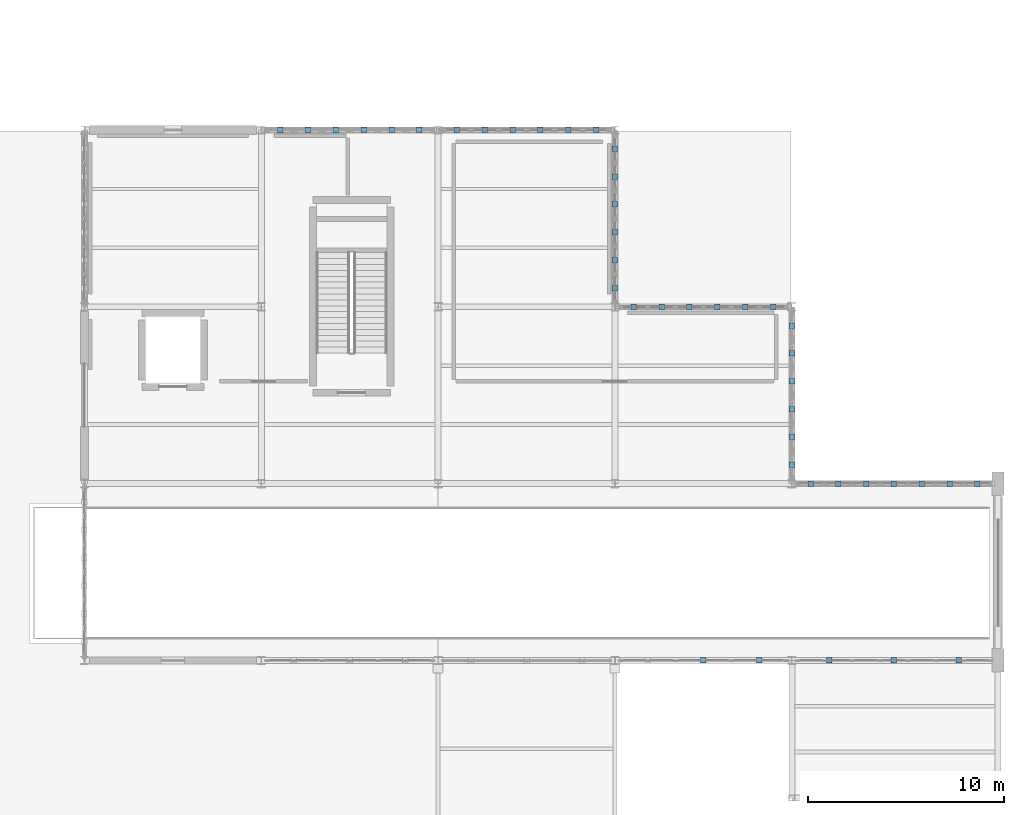
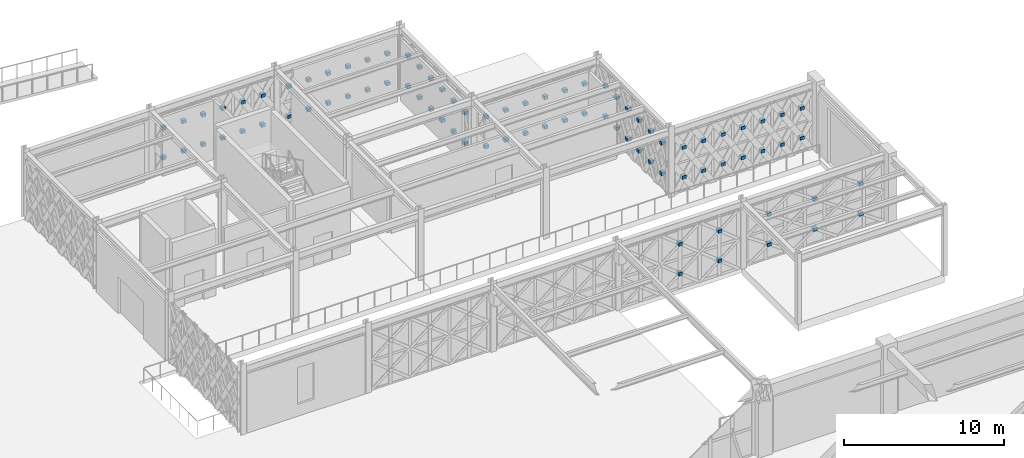
# One storey, part 126 of 140: 84 discrete accessories.
"""IFC4 building model written with IfcOpenShell, lengths in metres."""

from ifc_helpers import new_model, si_unit, direction, frame, origin, origin_2d, place, context, subcontext, project, spatial, rectangle, extrude, material, type_object, element, save


model = new_model("IFC4")

# Units and contexts
model_context = context("Model", 3, precision=1e-05, world=origin(), true_north=direction((0.0, 1.0)))
body_context = subcontext(model_context, "Body", "Model", "MODEL_VIEW")
ifc_project = project(units=[si_unit("LENGTHUNIT", "METRE"), si_unit("AREAUNIT", "SQUARE_METRE"), si_unit("VOLUMEUNIT", "CUBIC_METRE"), si_unit("PLANEANGLEUNIT", "RADIAN"), si_unit("MASSUNIT", "GRAM", prefix="KILO")], contexts=[model_context])

# Site, building, storey
site_placement = place(None, origin())
site = spatial("IfcSite", under=ifc_project, at=site_placement, CompositionType="ELEMENT")
building_placement = place(site_placement, origin())
building = spatial("IfcBuilding", under=site, at=building_placement, Name="Haizhuo Lancet Aquarium", CompositionType="ELEMENT")
storey_placement = place(building_placement, origin())
storey = spatial("IfcBuildingStorey", under=building, at=storey_placement, Name="L00", CompositionType="ELEMENT", Elevation=0.0)

# Discrete accessories
ifc_material = material(Name="Steel S355", Category="steel")
discrete_accessory_type = type_object("IfcDiscreteAccessoryType", Name="ACC-END-CAP", PredefinedType="BRACKET", material=ifc_material)
for number, where, z_axis, x_axis, name in (
    (1, (45.9541015625, 36.0, 1.01318359375), (0.0, 0.0, 1.0), (1.0, 0.0, 0.0), "L00 X-brace crossing gusset plate XN-CW-V7-L00-272-LB01B1"),
    (2, (45.9541015625, 36.0, 3.27880859375), (0.0, 0.0, 1.0), (1.0, 0.0, 0.0), "L00 X-brace crossing gusset plate XN-CW-V7-L00-272-LB02B1"),
    (3, (47.373046875, 36.0, 1.01318359375), (0.0, 0.0, 1.0), (1.0, 0.0, 0.0), "L00 X-brace crossing gusset plate XN-CW-V7-L00-272-LB03B1"),
    (4, (47.373046875, 36.0, 3.27880859375), (0.0, 0.0, 1.0), (1.0, 0.0, 0.0), "L00 X-brace crossing gusset plate XN-CW-V7-L00-272-LB04B1"),
    (5, (48.791015625, 36.0, 1.01318359375), (0.0, 0.0, 1.0), (1.0, 0.0, 0.0), "L00 X-brace crossing gusset plate XN-CW-V7-L00-272-LB05B1"),
    (6, (48.791015625, 36.0, 3.27880859375), (0.0, 0.0, 1.0), (1.0, 0.0, 0.0), "L00 X-brace crossing gusset plate XN-CW-V7-L00-272-LB06B1"),
    (7, (50.208984375, 36.0, 1.01318359375), (0.0, 0.0, 1.0), (1.0, 0.0, 0.0), "L00 X-brace crossing gusset plate XN-CW-V7-L00-272-LB07B1"),
    (8, (50.208984375, 36.0, 3.27880859375), (0.0, 0.0, 1.0), (1.0, 0.0, 0.0), "L00 X-brace crossing gusset plate XN-CW-V7-L00-272-LB08B1"),
    (9, (51.626953125, 36.0, 1.01318359375), (0.0, 0.0, 1.0), (1.0, 0.0, 0.0), "L00 X-brace crossing gusset plate XN-CW-V7-L00-272-LB09B1"),
    (10, (51.626953125, 36.0, 3.27880859375), (0.0, 0.0, 1.0), (1.0, 0.0, 0.0), "L00 X-brace crossing gusset plate XN-CW-V7-L00-272-LB10B1"),
    (11, (53.0458984375, 36.0, 1.01318359375), (0.0, 0.0, 1.0), (1.0, 0.0, 0.0), "L00 X-brace crossing gusset plate XN-CW-V7-L00-272-LB11B1"),
    (12, (53.0458984375, 36.0, 3.27880859375), (0.0, 0.0, 1.0), (1.0, 0.0, 0.0), "L00 X-brace crossing gusset plate XN-CW-V7-L00-272-LB12B1"),
    (13, (54.9541015625, 36.0, 1.01318359375), (0.0, 0.0, 1.0), (1.0, 0.0, 0.0), "L00 X-brace crossing gusset plate XN-CW-V7-L00-273-LB01B1"),
    (14, (54.9541015625, 36.0, 3.27880859375), (0.0, 0.0, 1.0), (1.0, 0.0, 0.0), "L00 X-brace crossing gusset plate XN-CW-V7-L00-273-LB02B1"),
    (15, (56.373046875, 36.0, 1.01318359375), (0.0, 0.0, 1.0), (1.0, 0.0, 0.0), "L00 X-brace crossing gusset plate XN-CW-V7-L00-273-LB03B1"),
    (16, (56.373046875, 36.0, 3.27880859375), (0.0, 0.0, 1.0), (1.0, 0.0, 0.0), "L00 X-brace crossing gusset plate XN-CW-V7-L00-273-LB04B1"),
    (17, (57.791015625, 36.0, 1.01318359375), (0.0, 0.0, 1.0), (1.0, 0.0, 0.0), "L00 X-brace crossing gusset plate XN-CW-V7-L00-273-LB05B1"),
    (18, (57.791015625, 36.0, 3.27880859375), (0.0, 0.0, 1.0), (1.0, 0.0, 0.0), "L00 X-brace crossing gusset plate XN-CW-V7-L00-273-LB06B1"),
    (19, (59.208984375, 36.0, 1.01318359375), (0.0, 0.0, 1.0), (1.0, 0.0, 0.0), "L00 X-brace crossing gusset plate XN-CW-V7-L00-273-LB07B1"),
    (20, (59.208984375, 36.0, 3.27880859375), (0.0, 0.0, 1.0), (1.0, 0.0, 0.0), "L00 X-brace crossing gusset plate XN-CW-V7-L00-273-LB08B1"),
    (21, (60.626953125, 36.0, 1.01318359375), (0.0, 0.0, 1.0), (1.0, 0.0, 0.0), "L00 X-brace crossing gusset plate XN-CW-V7-L00-273-LB09B1"),
    (22, (60.626953125, 36.0, 3.27880859375), (0.0, 0.0, 1.0), (1.0, 0.0, 0.0), "L00 X-brace crossing gusset plate XN-CW-V7-L00-273-LB10B1"),
    (23, (62.0458984375, 36.0, 1.01318359375), (0.0, 0.0, 1.0), (1.0, 0.0, 0.0), "L00 X-brace crossing gusset plate XN-CW-V7-L00-273-LB11B1"),
    (24, (62.0458984375, 36.0, 3.27880859375), (0.0, 0.0, 1.0), (1.0, 0.0, 0.0), "L00 X-brace crossing gusset plate XN-CW-V7-L00-273-LB12B1"),
    (25, (63.0, 35.0458984375, 1.0380859375), (0.0, 0.0, 1.0), (1.0, 0.0, 0.0), "L00 X-brace crossing gusset plate XN-CW-V7-L00-274-LB01B1"),
    (26, (63.0, 35.0458984375, 3.35400390625), (0.0, 0.0, 1.0), (1.0, 0.0, 0.0), "L00 X-brace crossing gusset plate XN-CW-V7-L00-274-LB02B1"),
    (27, (63.0, 33.626953125, 1.0380859375), (0.0, 0.0, 1.0), (1.0, 0.0, 0.0), "L00 X-brace crossing gusset plate XN-CW-V7-L00-274-LB03B1"),
    (28, (63.0, 33.626953125, 3.35400390625), (0.0, 0.0, 1.0), (1.0, 0.0, 0.0), "L00 X-brace crossing gusset plate XN-CW-V7-L00-274-LB04B1"),
    (29, (63.0, 32.208984375, 1.0380859375), (0.0, 0.0, 1.0), (1.0, 0.0, 0.0), "L00 X-brace crossing gusset plate XN-CW-V7-L00-274-LB05B1"),
    (30, (63.0, 32.208984375, 3.35400390625), (0.0, 0.0, 1.0), (1.0, 0.0, 0.0), "L00 X-brace crossing gusset plate XN-CW-V7-L00-274-LB06B1"),
    (31, (63.0, 30.791015625, 1.0380859375), (0.0, 0.0, 1.0), (1.0, 0.0, 0.0), "L00 X-brace crossing gusset plate XN-CW-V7-L00-274-LB07B1"),
    (32, (63.0, 30.791015625, 3.35400390625), (0.0, 0.0, 1.0), (1.0, 0.0, 0.0), "L00 X-brace crossing gusset plate XN-CW-V7-L00-274-LB08B1"),
    (33, (63.0, 29.373046875, 1.0380859375), (0.0, 0.0, 1.0), (1.0, 0.0, 0.0), "L00 X-brace crossing gusset plate XN-CW-V7-L00-274-LB09B1"),
    (34, (63.0, 29.373046875, 3.35400390625), (0.0, 0.0, 1.0), (1.0, 0.0, 0.0), "L00 X-brace crossing gusset plate XN-CW-V7-L00-274-LB10B1"),
    (35, (63.0, 27.9541015625, 1.0380859375), (0.0, 0.0, 1.0), (1.0, 0.0, 0.0), "L00 X-brace crossing gusset plate XN-CW-V7-L00-274-LB11B1"),
    (36, (63.0, 27.9541015625, 3.35400390625), (0.0, 0.0, 1.0), (1.0, 0.0, 0.0), "L00 X-brace crossing gusset plate XN-CW-V7-L00-274-LB12B1"),
    (37, (63.9541015625, 27.0, 1.01318359375), (0.0, 0.0, 1.0), (1.0, 0.0, 0.0), "L00 X-brace crossing gusset plate XN-CW-V7-L00-275-LB01B1"),
    (38, (63.9541015625, 27.0, 3.27880859375), (0.0, 0.0, 1.0), (1.0, 0.0, 0.0), "L00 X-brace crossing gusset plate XN-CW-V7-L00-275-LB02B1"),
    (39, (65.373046875, 27.0, 1.01318359375), (0.0, 0.0, 1.0), (1.0, 0.0, 0.0), "L00 X-brace crossing gusset plate XN-CW-V7-L00-275-LB03B1"),
    (40, (65.373046875, 27.0, 3.27880859375), (0.0, 0.0, 1.0), (1.0, 0.0, 0.0), "L00 X-brace crossing gusset plate XN-CW-V7-L00-275-LB04B1"),
    (41, (66.791015625, 27.0, 1.01318359375), (0.0, 0.0, 1.0), (1.0, 0.0, 0.0), "L00 X-brace crossing gusset plate XN-CW-V7-L00-275-LB05B1"),
    (42, (66.791015625, 27.0, 3.27880859375), (0.0, 0.0, 1.0), (1.0, 0.0, 0.0), "L00 X-brace crossing gusset plate XN-CW-V7-L00-275-LB06B1"),
    (43, (68.208984375, 27.0, 1.01318359375), (0.0, 0.0, 1.0), (1.0, 0.0, 0.0), "L00 X-brace crossing gusset plate XN-CW-V7-L00-275-LB07B1"),
    (44, (68.208984375, 27.0, 3.27880859375), (0.0, 0.0, 1.0), (1.0, 0.0, 0.0), "L00 X-brace crossing gusset plate XN-CW-V7-L00-275-LB08B1"),
    (45, (69.626953125, 27.0, 1.01318359375), (0.0, 0.0, 1.0), (1.0, 0.0, 0.0), "L00 X-brace crossing gusset plate XN-CW-V7-L00-275-LB09B1"),
    (46, (69.626953125, 27.0, 3.27880859375), (0.0, 0.0, 1.0), (1.0, 0.0, 0.0), "L00 X-brace crossing gusset plate XN-CW-V7-L00-275-LB10B1"),
    (47, (71.0458984375, 27.0, 1.01318359375), (0.0, 0.0, 1.0), (1.0, 0.0, 0.0), "L00 X-brace crossing gusset plate XN-CW-V7-L00-275-LB11B1"),
    (48, (71.0458984375, 27.0, 3.27880859375), (0.0, 0.0, 1.0), (1.0, 0.0, 0.0), "L00 X-brace crossing gusset plate XN-CW-V7-L00-275-LB12B1"),
    (49, (72.0, 26.0458984375, 1.0380859375), (0.0, 0.0, 1.0), (1.0, 0.0, 0.0), "L00 X-brace crossing gusset plate XN-CW-V7-L00-276-LB01B1"),
    (50, (72.0, 26.0458984375, 3.35400390625), (0.0, 0.0, 1.0), (1.0, 0.0, 0.0), "L00 X-brace crossing gusset plate XN-CW-V7-L00-276-LB02B1"),
    (51, (72.0, 24.626953125, 1.0380859375), (0.0, 0.0, 1.0), (1.0, 0.0, 0.0), "L00 X-brace crossing gusset plate XN-CW-V7-L00-276-LB03B1"),
    (52, (72.0, 24.626953125, 3.35400390625), (0.0, 0.0, 1.0), (1.0, 0.0, 0.0), "L00 X-brace crossing gusset plate XN-CW-V7-L00-276-LB04B1"),
    (53, (72.0, 23.208984375, 1.0380859375), (0.0, 0.0, 1.0), (1.0, 0.0, 0.0), "L00 X-brace crossing gusset plate XN-CW-V7-L00-276-LB05B1"),
    (54, (72.0, 23.208984375, 3.35400390625), (0.0, 0.0, 1.0), (1.0, 0.0, 0.0), "L00 X-brace crossing gusset plate XN-CW-V7-L00-276-LB06B1"),
    (55, (72.0, 21.791015625, 1.0380859375), (0.0, 0.0, 1.0), (1.0, 0.0, 0.0), "L00 X-brace crossing gusset plate XN-CW-V7-L00-276-LB07B1"),
    (56, (72.0, 21.791015625, 3.35400390625), (0.0, 0.0, 1.0), (1.0, 0.0, 0.0), "L00 X-brace crossing gusset plate XN-CW-V7-L00-276-LB08B1"),
    (57, (72.0, 20.373046875, 1.0380859375), (0.0, 0.0, 1.0), (1.0, 0.0, 0.0), "L00 X-brace crossing gusset plate XN-CW-V7-L00-276-LB09B1"),
    (58, (72.0, 20.373046875, 3.35400390625), (0.0, 0.0, 1.0), (1.0, 0.0, 0.0), "L00 X-brace crossing gusset plate XN-CW-V7-L00-276-LB10B1"),
    (59, (72.0, 18.9541015625, 1.0380859375), (0.0, 0.0, 1.0), (1.0, 0.0, 0.0), "L00 X-brace crossing gusset plate XN-CW-V7-L00-276-LB11B1"),
    (60, (72.0, 18.9541015625, 3.35400390625), (0.0, 0.0, 1.0), (1.0, 0.0, 0.0), "L00 X-brace crossing gusset plate XN-CW-V7-L00-276-LB12B1"),
    (61, (72.952880859375, 18.0, 1.01318359375), (0.0, 0.0, 1.0), (1.0, 0.0, 0.0), "L00 X-brace crossing gusset plate XN-CW-V7-L00-277-LB01B1"),
    (62, (72.952880859375, 18.0, 3.27880859375), (0.0, 0.0, 1.0), (1.0, 0.0, 0.0), "L00 X-brace crossing gusset plate XN-CW-V7-L00-277-LB02B1"),
    (63, (74.367919921875, 18.0, 1.01318359375), (0.0, 0.0, 1.0), (1.0, 0.0, 0.0), "L00 X-brace crossing gusset plate XN-CW-V7-L00-277-LB03B1"),
    (64, (74.367919921875, 18.0, 3.27880859375), (0.0, 0.0, 1.0), (1.0, 0.0, 0.0), "L00 X-brace crossing gusset plate XN-CW-V7-L00-277-LB04B1"),
    (65, (75.783935546875, 18.0, 1.01318359375), (0.0, 0.0, 1.0), (1.0, 0.0, 0.0), "L00 X-brace crossing gusset plate XN-CW-V7-L00-277-LB05B1"),
    (66, (75.783935546875, 18.0, 3.27880859375), (0.0, 0.0, 1.0), (1.0, 0.0, 0.0), "L00 X-brace crossing gusset plate XN-CW-V7-L00-277-LB06B1"),
    (67, (77.199951171875, 18.0, 1.01318359375), (0.0, 0.0, 1.0), (1.0, 0.0, 0.0), "L00 X-brace crossing gusset plate XN-CW-V7-L00-277-LB07B1"),
    (68, (77.199951171875, 18.0, 3.27880859375), (0.0, 0.0, 1.0), (1.0, 0.0, 0.0), "L00 X-brace crossing gusset plate XN-CW-V7-L00-277-LB08B1"),
    (69, (78.615966796875, 18.0, 1.01318359375), (0.0, 0.0, 1.0), (1.0, 0.0, 0.0), "L00 X-brace crossing gusset plate XN-CW-V7-L00-277-LB09B1"),
    (70, (78.615966796875, 18.0, 3.27880859375), (0.0, 0.0, 1.0), (1.0, 0.0, 0.0), "L00 X-brace crossing gusset plate XN-CW-V7-L00-277-LB10B1"),
    (71, (80.031005859375, 18.0, 1.01318359375), (0.0, 0.0, 1.0), (1.0, 0.0, 0.0), "L00 X-brace crossing gusset plate XN-CW-V7-L00-277-LB11B1"),
    (72, (80.031005859375, 18.0, 3.27880859375), (0.0, 0.0, 1.0), (1.0, 0.0, 0.0), "L00 X-brace crossing gusset plate XN-CW-V7-L00-277-LB12B1"),
    (73, (81.447021484375, 18.0, 1.01318359375), (0.0, 0.0, 1.0), (1.0, 0.0, 0.0), "L00 X-brace crossing gusset plate XN-CW-V7-L00-277-LB13B1"),
    (74, (81.447021484375, 18.0, 3.27880859375), (0.0, 0.0, 1.0), (1.0, 0.0, 0.0), "L00 X-brace crossing gusset plate XN-CW-V7-L00-277-LB14B1"),
    (75, (80.50390625, 9.0, 1.01318359375), (0.0, 0.0, 1.0), (1.0, 0.0, 0.0), "L00 X-brace crossing gusset plate XN-CW-V7-L00-278-LB01B1"),
    (76, (80.50390625, 9.0, 3.27880859375), (0.0, 0.0, 1.0), (1.0, 0.0, 0.0), "L00 X-brace crossing gusset plate XN-CW-V7-L00-278-LB02B1"),
    (77, (77.199951171875, 9.0, 1.01318359375), (0.0, 0.0, 1.0), (1.0, 0.0, 0.0), "L00 X-brace crossing gusset plate XN-CW-V7-L00-278-LB03B1"),
    (78, (77.199951171875, 9.0, 3.27880859375), (0.0, 0.0, 1.0), (1.0, 0.0, 0.0), "L00 X-brace crossing gusset plate XN-CW-V7-L00-278-LB04B1"),
    (79, (73.89697265625, 9.0, 1.01318359375), (0.0, 0.0, 1.0), (1.0, 0.0, 0.0), "L00 X-brace crossing gusset plate XN-CW-V7-L00-278-LB05B1"),
    (80, (73.89697265625, 9.0, 3.27880859375), (0.0, 0.0, 1.0), (1.0, 0.0, 0.0), "L00 X-brace crossing gusset plate XN-CW-V7-L00-278-LB06B1"),
    (81, (70.3369140625, 9.0, 1.01318359375), (0.0, 0.0, 1.0), (1.0, 0.0, 0.0), "L00 X-brace crossing gusset plate XN-CW-V7-L00-279-LB01B1"),
    (82, (70.3369140625, 9.0, 3.27880859375), (0.0, 0.0, 1.0), (1.0, 0.0, 0.0), "L00 X-brace crossing gusset plate XN-CW-V7-L00-279-LB02B1"),
    (83, (67.5, 9.0, 1.01318359375), (0.0, 0.0, 1.0), (1.0, 0.0, 0.0), "L00 X-brace crossing gusset plate XN-CW-V7-L00-279-LB03B1"),
    (84, (67.5, 9.0, 3.27880859375), (0.0, 0.0, 1.0), (1.0, 0.0, 0.0), "L00 X-brace crossing gusset plate XN-CW-V7-L00-279-LB04B1"),
):
    element("IfcDiscreteAccessory", number, at=place(storey_placement, frame(where, z_axis=z_axis, x_axis=x_axis)), inside=storey, type_object=discrete_accessory_type, material=ifc_material, Name=name, PredefinedType="BRACKET", context=body_context, shape_type="SweptSolid", body=[
        extrude(rectangle(XDim=0.280029296875, YDim=0.280029296875, at=origin_2d()), origin(), (0.0, 0.0, 1.0), 0.239990234375),
    ])

save(model, "model.ifc")
